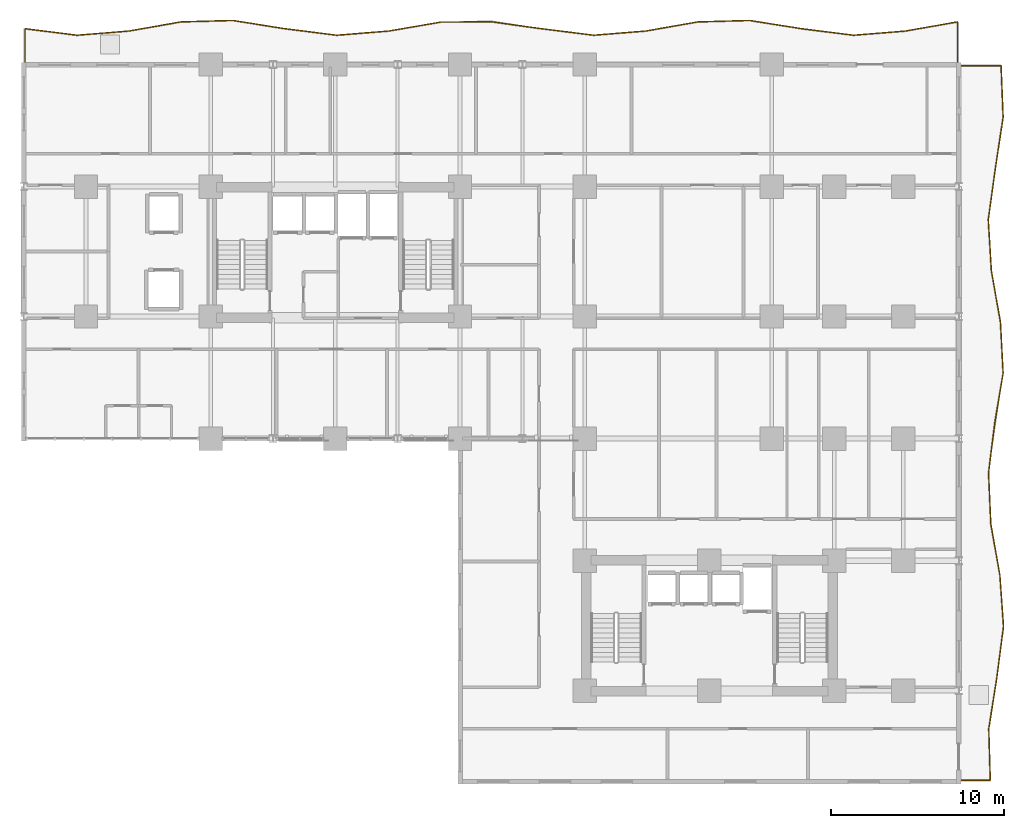
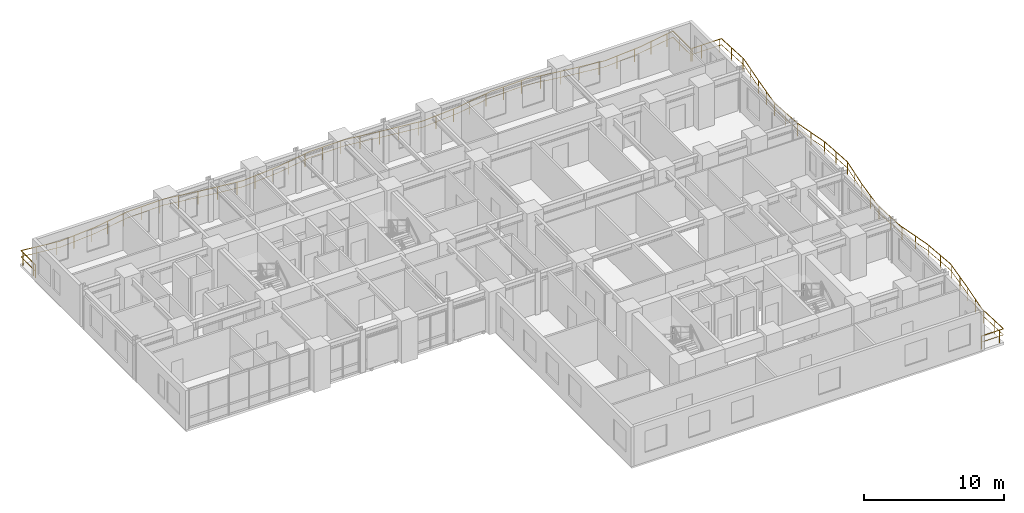
# One storey, part 16 of 16: 2 railings.
"""IFC4 building model written with IfcOpenShell, lengths in metres."""

import ifcopenshell
import ifcopenshell.guid

model = None  # the IFC model being written
_history = None  # IfcOwnerHistory: only IFC2X3 demands one
_inside = {}  # id of a spatial element -> (the spatial element, [elements in it])
_under = {}  # id of a project, library or spatial element -> (it, [spatial elements below it])
_declared = {}  # id of a project -> (the project, [libraries it declares])
_typed = {}  # id of a type object -> (the type object, [elements of that type])
_made_of = {}  # id of a material, layer set ... -> (it, [elements and type objects made of it])


def new_model(schema):
    """Start an empty IFC model of exactly this schema.

    Asked for "IFC4X3", IfcOpenShell would pick the latest addendum, in which some entities
    have other attributes; the version numbers below select the first issue.
    IFC2X3 requires an IfcOwnerHistory on every rooted entity: one is made here for all.
    """
    global model, _history
    if schema == "IFC4X3":
        model = ifcopenshell.file(schema_version=(4, 3, 0, 0))
    else:
        model = ifcopenshell.file(schema=schema)
    _inside.clear()
    _under.clear()
    _declared.clear()
    _typed.clear()
    _made_of.clear()
    _history = None
    if model.schema == "IFC2X3":
        org = make("IfcOrganization", Name="unknown")
        user = make(
            "IfcPersonAndOrganization",
            ThePerson=make("IfcPerson", FamilyName="unknown"),
            TheOrganization=org,
        )
        app = make(
            "IfcApplication",
            ApplicationDeveloper=org,
            Version="unknown",
            ApplicationFullName="unknown",
            ApplicationIdentifier="unknown",
        )
        _history = make(
            "IfcOwnerHistory",
            OwningUser=user,
            OwningApplication=app,
            ChangeAction="ADDED",
            CreationDate=0,
        )
    return model


def make(cls, **values):
    """One entity of the class cls with the attributes given. An attribute that is None is left unset."""
    return model.create_entity(
        cls, **{name: value for name, value in values.items() if value is not None}
    )


def rooted(cls, **values):
    """An entity with a GlobalId (a new one), such as an element, a storey or a relation."""
    return make(cls, GlobalId=ifcopenshell.guid.new(), OwnerHistory=_history, **values)


def si_unit(unit_type, name, prefix=None):
    """IfcSIUnit, for example si_unit("LENGTHUNIT", "METRE", prefix="MILLI")."""
    return make("IfcSIUnit", UnitType=unit_type, Prefix=prefix, Name=name)


def assignment(units):
    """IfcUnitAssignment: the units of a project."""
    return None if units is None else make("IfcUnitAssignment", Units=units)


def point(xyz):
    """IfcCartesianPoint."""
    return None if xyz is None else make("IfcCartesianPoint", Coordinates=xyz)


def direction(xyz):
    """IfcDirection."""
    return None if xyz is None else make("IfcDirection", DirectionRatios=xyz)


def frame(location, z_axis=None, x_axis=None):
    """IfcAxis2Placement3D, a coordinate frame: its origin and axes. An axis left out is left unset."""
    return make(
        "IfcAxis2Placement3D",
        Location=point(location),
        Axis=direction(z_axis),
        RefDirection=direction(x_axis),
    )


def frame_2d(location, x_axis=None):
    """IfcAxis2Placement2D, a coordinate frame in the plane: its origin and x axis."""
    return make(
        "IfcAxis2Placement2D", Location=point(location), RefDirection=direction(x_axis)
    )


def origin():
    """The frame at (0, 0, 0) with its axes left unset."""
    return frame((0.0, 0.0, 0.0))


def origin_2d():
    """The frame at (0, 0) in the plane with its x axis left unset."""
    return frame_2d((0.0, 0.0))


def place(relative_to, where):
    """IfcLocalPlacement: puts the frame where relative to a parent placement (None: the world)."""
    return make(
        "IfcLocalPlacement", PlacementRelTo=relative_to, RelativePlacement=where
    )


def context(
    kind, dimensions, precision=None, world=None, true_north=None, identifier=None
):
    """IfcGeometricRepresentationContext, for example the 3D "Model" context."""
    return make(
        "IfcGeometricRepresentationContext",
        ContextIdentifier=identifier,
        ContextType=kind,
        CoordinateSpaceDimension=dimensions,
        Precision=precision,
        WorldCoordinateSystem=world,
        TrueNorth=true_north,
    )


def subcontext(parent, identifier, kind, view, scale=None):
    """IfcGeometricRepresentationSubContext, for example "Body" below "Model"."""
    return make(
        "IfcGeometricRepresentationSubContext",
        ContextIdentifier=identifier,
        ContextType=kind,
        ParentContext=parent,
        TargetScale=scale,
        TargetView=view,
    )


def project(units=None, contexts=None):
    """IfcProject with its units and contexts."""
    return rooted(
        "IfcProject",
        Name="project",
        RepresentationContexts=contexts,
        UnitsInContext=assignment(units),
    )


def spatial(cls, under=None, at=None, **own):
    """A site, building, storey or space (cls), placed at a placement, below another one or the project."""
    s = rooted(cls, ObjectPlacement=at, **own)
    if under is not None:
        _under.setdefault(under.id(), (under, []))[1].append(s)
    return s


def profile(cls, at=None, kind="AREA", **sizes):
    """A parametric profile (cls). Its sizes go by their IFC names, for example OverallWidth=200.0."""
    return make(cls, ProfileType=kind, Position=at, **sizes)


def rectangle(**sizes):
    """IfcRectangleProfileDef."""
    return profile("IfcRectangleProfileDef", **sizes)


def extrude(swept, where, along, depth):
    """IfcExtrudedAreaSolid: the profile swept, set in the frame where, extruded along a direction by depth."""
    return make(
        "IfcExtrudedAreaSolid",
        SweptArea=swept,
        Position=where,
        ExtrudedDirection=direction(along),
        Depth=depth,
    )


def shape(context_of_items, identifier, shape_type, items):
    """IfcShapeRepresentation: the items that make up one representation, for example the "Body"."""
    return make(
        "IfcShapeRepresentation",
        ContextOfItems=context_of_items,
        RepresentationIdentifier=identifier,
        RepresentationType=shape_type,
        Items=items,
    )


def material(Name=None, Category=None):
    """IfcMaterial."""
    return make("IfcMaterial", Name=Name, Category=Category)


def made_of(thing, what):
    """Note that an element or type object is made of a material, layer set ...; save() writes the relation."""
    if what is not None:
        _made_of.setdefault(what.id(), (what, []))[1].append(thing)
    return thing


def type_object(cls, material=None, **own):
    """A type object (cls), such as IfcWallType, which elements share."""
    return made_of(rooted(cls, **own), material)


def element(
    cls,
    number,
    at=None,
    inside=None,
    cuts=None,
    type_object=None,
    material=None,
    context=None,
    identifier="Body",
    shape_type=None,
    held_by="IfcProductDefinitionShape",
    body=None,
    shapes=None,
    **own,
):
    """One element of the class cls, such as IfcWall. Its Tag is "e" and its number.

    at: its placement. inside: the storey or other place that contains it. cuts: it is an
    opening in that element (IfcRelVoidsElement). A single representation is given by context,
    identifier, shape_type and body (its items); several are given by shapes. held_by: the class
    of the entity that holds the representations. save() writes the other relations.
    """
    e = rooted(cls, Tag="e%d" % number, ObjectPlacement=at, **own)
    if body is not None:
        shapes = [shape(context, identifier, shape_type, body)]
    if shapes is not None:
        e.Representation = make(held_by, Representations=shapes)
    if inside is not None:
        _inside.setdefault(inside.id(), (inside, []))[1].append(e)
    if cuts is not None:
        rooted(
            "IfcRelVoidsElement", RelatingBuildingElement=cuts, RelatedOpeningElement=e
        )
    if type_object is not None:
        _typed.setdefault(type_object.id(), (type_object, []))[1].append(e)
    return made_of(e, material)


def aggregate(whole, parts):
    """IfcRelAggregates: a whole, such as a stair, and the parts it consists of."""
    return rooted("IfcRelAggregates", RelatingObject=whole, RelatedObjects=parts)


def save(model, path):
    """Write the relations noted so far, then the file.

    IfcRelAggregates (storeys below a building ...), IfcRelContainedInSpatialStructure (elements
    in a storey), IfcRelDefinesByType, IfcRelAssociatesMaterial and IfcRelDeclares: one each for
    every whole, place, type object, material and project.
    """
    for whole, parts in _under.values():
        aggregate(whole, parts)
    for where, things in _inside.values():
        rooted(
            "IfcRelContainedInSpatialStructure",
            RelatedElements=things,
            RelatingStructure=where,
        )
    for kind, things in _typed.values():
        rooted("IfcRelDefinesByType", RelatedObjects=things, RelatingType=kind)
    for what, things in _made_of.values():
        rooted("IfcRelAssociatesMaterial", RelatedObjects=things, RelatingMaterial=what)
    for by, libraries in _declared.values():
        rooted("IfcRelDeclares", RelatingContext=by, RelatedDefinitions=libraries)
    model.write(path)


model = new_model("IFC4")

# Units and contexts
model_context = context("Model", 3, precision=1e-05, world=origin(), true_north=direction((0.0, 1.0)))
body_context = subcontext(model_context, "Body", "Model", "MODEL_VIEW")
ifc_project = project(units=[si_unit("LENGTHUNIT", "METRE"), si_unit("AREAUNIT", "SQUARE_METRE"), si_unit("VOLUMEUNIT", "CUBIC_METRE"), si_unit("PLANEANGLEUNIT", "RADIAN"), si_unit("MASSUNIT", "GRAM", prefix="KILO")], contexts=[model_context])

# Site, building, storey
site_placement = place(None, origin())
site = spatial("IfcSite", under=ifc_project, at=site_placement, CompositionType="ELEMENT")
building_placement = place(site_placement, origin())
building = spatial("IfcBuilding", under=site, at=building_placement, Name="Kaliganga Portal Commons", CompositionType="ELEMENT")
storey_placement = place(building_placement, frame((0.0, 0.0, 29.0)))
storey = spatial("IfcBuildingStorey", under=building, at=storey_placement, Name="L06", CompositionType="ELEMENT", Elevation=29.0)

# Railings
ifc_material = material(Name="Laminated Safety Glass and Stainless Steel 316", Category="steel")
railing_type = type_object("IfcRailingType", Name="RLG-BAL-1150", PredefinedType="BALUSTRADE", material=ifc_material)
railing_1_placement = place(storey_placement, frame((57.520263671875, 43.205810546875, 0.0)))
element("IfcRailing", 1, at=railing_1_placement, inside=storey, type_object=railing_type, Name="Balcony Guardrail L06 balc_north", PredefinedType="BALUSTRADE", context=body_context, shape_type="SweptSolid", body=[
    extrude(rectangle(XDim=0.048095703125, YDim=0.048095703125, at=origin_2d()), frame((0.0, 0.0, 1.1259765625), z_axis=(-9.9295005e-05, 0.99999999507, 0.0), x_axis=(-0.99999999507, -9.9295005e-05, 0.0)), (0.0, 0.0, 1.0), 2.458740234375),
    extrude(rectangle(XDim=0.028076171875, YDim=0.028076171875, at=origin_2d()), frame((0.0, 0.0, 0.597900390625), z_axis=(-9.9295005e-05, 0.99999999507, 0.0), x_axis=(-0.99999999507, -9.9295005e-05, 0.0)), (0.0, 0.0, 1.0), 2.458740234375),
    extrude(rectangle(XDim=0.048095703125, YDim=0.048095703125, at=origin_2d()), frame((-0.000244140625, 2.458740234375, 1.1259765625), z_axis=(-0.984817426759, -0.173593306182, 0.0), x_axis=(0.173593306182, -0.984817426759, 0.0)), (0.0, 0.0, 1.0), 3.046142578125),
    extrude(rectangle(XDim=0.028076171875, YDim=0.028076171875, at=origin_2d()), frame((-0.000244140625, 2.458740234375, 0.597900390625), z_axis=(-0.984817426759, -0.173593306182, 0.0), x_axis=(0.173593306182, -0.984817426759, 0.0)), (0.0, 0.0, 1.0), 3.046142578125),
    extrude(rectangle(XDim=0.048095703125, YDim=0.048095703125, at=origin_2d()), frame((-3.000244140625, 1.929931640625, 1.1259765625), z_axis=(-0.996744217551, -0.080628560567, 0.0), x_axis=(0.080628560567, -0.996744217551, 0.0)), (0.0, 0.0, 1.0), 3.009765625),
    extrude(rectangle(XDim=0.028076171875, YDim=0.028076171875, at=origin_2d()), frame((-3.000244140625, 1.929931640625, 0.597900390625), z_axis=(-0.996744217551, -0.080628560567, 0.0), x_axis=(0.080628560567, -0.996744217551, 0.0)), (0.0, 0.0, 1.0), 3.009765625),
    extrude(rectangle(XDim=0.048095703125, YDim=0.048095703125, at=origin_2d()), frame((-6.000244140625, 1.687255859375, 1.1259765625), z_axis=(-0.992158168336, 0.124988675503, 0.0), x_axis=(-0.124988675503, -0.992158168336, 0.0)), (0.0, 0.0, 1.0), 3.023681640625),
    extrude(rectangle(XDim=0.028076171875, YDim=0.028076171875, at=origin_2d()), frame((-6.000244140625, 1.687255859375, 0.597900390625), z_axis=(-0.992158168336, 0.124988675503, 0.0), x_axis=(-0.124988675503, -0.992158168336, 0.0)), (0.0, 0.0, 1.0), 3.023681640625),
    extrude(rectangle(XDim=0.048095703125, YDim=0.048095703125, at=origin_2d()), frame((-9.000244140625, 2.065185546875, 1.1259765625), z_axis=(-0.987653892093, 0.156651809545, 0.0), x_axis=(-0.156651809545, -0.987653892093, 0.0)), (0.0, 0.0, 1.0), 3.03759765625),
    extrude(rectangle(XDim=0.028076171875, YDim=0.028076171875, at=origin_2d()), frame((-9.000244140625, 2.065185546875, 0.597900390625), z_axis=(-0.987653892093, 0.156651809545, 0.0), x_axis=(-0.156651809545, -0.987653892093, 0.0)), (0.0, 0.0, 1.0), 3.03759765625),
    extrude(rectangle(XDim=0.048095703125, YDim=0.048095703125, at=origin_2d()), frame((-12.000244140625, 2.541015625, 1.1259765625), z_axis=(-0.999606097148, -0.028065112591, 0.0), x_axis=(0.028065112591, -0.999606097148, 0.0)), (0.0, 0.0, 1.0), 3.001220703125),
    extrude(rectangle(XDim=0.028076171875, YDim=0.028076171875, at=origin_2d()), frame((-12.000244140625, 2.541015625, 0.597900390625), z_axis=(-0.999606097148, -0.028065112591, 0.0), x_axis=(0.028065112591, -0.999606097148, 0.0)), (0.0, 0.0, 1.0), 3.001220703125),
    extrude(rectangle(XDim=0.048095703125, YDim=0.048095703125, at=origin_2d()), frame((-15.000244140625, 2.456787109375, 1.1259765625), z_axis=(-0.984926853339, -0.172971366334, 0.0), x_axis=(0.172971366334, -0.984926853339, 0.0)), (0.0, 0.0, 1.0), 3.0458984375),
    extrude(rectangle(XDim=0.028076171875, YDim=0.028076171875, at=origin_2d()), frame((-15.000244140625, 2.456787109375, 0.597900390625), z_axis=(-0.984926853339, -0.172971366334, 0.0), x_axis=(0.172971366334, -0.984926853339, 0.0)), (0.0, 0.0, 1.0), 3.0458984375),
    extrude(rectangle(XDim=0.048095703125, YDim=0.048095703125, at=origin_2d()), frame((-18.000244140625, 1.929931640625, 1.1259765625), z_axis=(-0.996796163047, -0.079983806703, 0.0), x_axis=(0.079983806703, -0.996796163047, 0.0)), (0.0, 0.0, 1.0), 3.009521484375),
    extrude(rectangle(XDim=0.028076171875, YDim=0.028076171875, at=origin_2d()), frame((-18.000244140625, 1.929931640625, 0.597900390625), z_axis=(-0.996796163047, -0.079983806703, 0.0), x_axis=(0.079983806703, -0.996796163047, 0.0)), (0.0, 0.0, 1.0), 3.009521484375),
    extrude(rectangle(XDim=0.048095703125, YDim=0.048095703125, at=origin_2d()), frame((-21.000244140625, 1.689208984375, 1.1259765625), z_axis=(-0.99236707481, 0.123319052998, 0.0), x_axis=(-0.123319052998, -0.99236707481, 0.0)), (0.0, 0.0, 1.0), 3.023193359375),
    extrude(rectangle(XDim=0.028076171875, YDim=0.028076171875, at=origin_2d()), frame((-21.000244140625, 1.689208984375, 0.597900390625), z_axis=(-0.99236707481, 0.123319052998, 0.0), x_axis=(-0.123319052998, -0.99236707481, 0.0)), (0.0, 0.0, 1.0), 3.023193359375),
    extrude(rectangle(XDim=0.048095703125, YDim=0.048095703125, at=origin_2d()), frame((-24.000244140625, 2.06201171875, 1.1259765625), z_axis=(-0.990639676987, 0.136502858501, 0.0), x_axis=(-0.136502858501, -0.990639676987, 0.0)), (0.0, 0.0, 1.0), 2.947509765625),
    extrude(rectangle(XDim=0.028076171875, YDim=0.028076171875, at=origin_2d()), frame((-24.000244140625, 2.06201171875, 0.597900390625), z_axis=(-0.990639676987, 0.136502858501, 0.0), x_axis=(-0.136502858501, -0.990639676987, 0.0)), (0.0, 0.0, 1.0), 2.947509765625),
    extrude(rectangle(XDim=0.048095703125, YDim=0.048095703125, at=origin_2d()), frame((-26.920166015625, 2.46435546875, 1.1259765625), z_axis=(-0.999980358179, -0.006267635539, 0.0), x_axis=(0.006267635539, -0.999980358179, 0.0)), (0.0, 0.0, 1.0), 2.92138671875),
    extrude(rectangle(XDim=0.028076171875, YDim=0.028076171875, at=origin_2d()), frame((-26.920166015625, 2.46435546875, 0.597900390625), z_axis=(-0.999980358179, -0.006267635539, 0.0), x_axis=(0.006267635539, -0.999980358179, 0.0)), (0.0, 0.0, 1.0), 2.92138671875),
    extrude(rectangle(XDim=0.048095703125, YDim=0.048095703125, at=origin_2d()), frame((-29.841552734375, 2.446044921875, 1.1259765625), z_axis=(-0.985510565724, -0.169614046726, 0.0), x_axis=(0.169614046726, -0.985510565724, 0.0)), (0.0, 0.0, 1.0), 3.04296875),
    extrude(rectangle(XDim=0.028076171875, YDim=0.028076171875, at=origin_2d()), frame((-29.841552734375, 2.446044921875, 0.597900390625), z_axis=(-0.985510565724, -0.169614046726, 0.0), x_axis=(0.169614046726, -0.985510565724, 0.0)), (0.0, 0.0, 1.0), 3.04296875),
    extrude(rectangle(XDim=0.048095703125, YDim=0.048095703125, at=origin_2d()), frame((-32.84033203125, 1.929931640625, 1.1259765625), z_axis=(-0.996770241754, -0.080306196235, 0.0), x_axis=(0.080306196235, -0.996770241754, 0.0)), (0.0, 0.0, 1.0), 3.009765625),
    extrude(rectangle(XDim=0.028076171875, YDim=0.028076171875, at=origin_2d()), frame((-32.84033203125, 1.929931640625, 0.597900390625), z_axis=(-0.996770241754, -0.080306196235, 0.0), x_axis=(0.080306196235, -0.996770241754, 0.0)), (0.0, 0.0, 1.0), 3.009765625),
    extrude(rectangle(XDim=0.048095703125, YDim=0.048095703125, at=origin_2d()), frame((-35.84033203125, 1.688232421875, 1.1259765625), z_axis=(-0.992208154771, 0.124591242091, 0.0), x_axis=(-0.124591242091, -0.992208154771, 0.0)), (0.0, 0.0, 1.0), 3.0234375),
    extrude(rectangle(XDim=0.028076171875, YDim=0.028076171875, at=origin_2d()), frame((-35.84033203125, 1.688232421875, 0.597900390625), z_axis=(-0.992208154771, 0.124591242091, 0.0), x_axis=(-0.124591242091, -0.992208154771, 0.0)), (0.0, 0.0, 1.0), 3.0234375),
    extrude(rectangle(XDim=0.048095703125, YDim=0.048095703125, at=origin_2d()), frame((-38.84033203125, 2.06494140625, 1.1259765625), z_axis=(-0.987641453623, 0.156730211146, 0.0), x_axis=(-0.156730211146, -0.987641453623, 0.0)), (0.0, 0.0, 1.0), 3.03759765625),
    extrude(rectangle(XDim=0.028076171875, YDim=0.028076171875, at=origin_2d()), frame((-38.84033203125, 2.06494140625, 0.597900390625), z_axis=(-0.987641453623, 0.156730211146, 0.0), x_axis=(-0.156730211146, -0.987641453623, 0.0)), (0.0, 0.0, 1.0), 3.03759765625),
    extrude(rectangle(XDim=0.048095703125, YDim=0.048095703125, at=origin_2d()), frame((-41.84033203125, 2.541015625, 1.1259765625), z_axis=(-0.999617425383, -0.027658685273, 0.0), x_axis=(0.027658685273, -0.999617425383, 0.0)), (0.0, 0.0, 1.0), 3.001220703125),
    extrude(rectangle(XDim=0.028076171875, YDim=0.028076171875, at=origin_2d()), frame((-41.84033203125, 2.541015625, 0.597900390625), z_axis=(-0.999617425383, -0.027658685273, 0.0), x_axis=(0.027658685273, -0.999617425383, 0.0)), (0.0, 0.0, 1.0), 3.001220703125),
    extrude(rectangle(XDim=0.048095703125, YDim=0.048095703125, at=origin_2d()), frame((-44.84033203125, 2.4580078125, 1.1259765625), z_axis=(-0.984858504901, -0.173360103036, 0.0), x_axis=(0.173360103036, -0.984858504901, 0.0)), (0.0, 0.0, 1.0), 3.046142578125),
    extrude(rectangle(XDim=0.028076171875, YDim=0.028076171875, at=origin_2d()), frame((-44.84033203125, 2.4580078125, 0.597900390625), z_axis=(-0.984858504901, -0.173360103036, 0.0), x_axis=(0.173360103036, -0.984858504901, 0.0)), (0.0, 0.0, 1.0), 3.046142578125),
    extrude(rectangle(XDim=0.048095703125, YDim=0.048095703125, at=origin_2d()), frame((-47.84033203125, 1.929931640625, 1.1259765625), z_axis=(-0.996737695423, -0.080709147701, 0.0), x_axis=(0.080709147701, -0.996737695423, 0.0)), (0.0, 0.0, 1.0), 3.009765625),
    extrude(rectangle(XDim=0.028076171875, YDim=0.028076171875, at=origin_2d()), frame((-47.84033203125, 1.929931640625, 0.597900390625), z_axis=(-0.996737695423, -0.080709147701, 0.0), x_axis=(0.080709147701, -0.996737695423, 0.0)), (0.0, 0.0, 1.0), 3.009765625),
    extrude(rectangle(XDim=0.048095703125, YDim=0.048095703125, at=origin_2d()), frame((-50.84033203125, 1.68701171875, 1.1259765625), z_axis=(-0.992138130603, 0.125147632034, 0.0), x_axis=(-0.125147632034, -0.992138130603, 0.0)), (0.0, 0.0, 1.0), 3.023681640625),
    extrude(rectangle(XDim=0.028076171875, YDim=0.028076171875, at=origin_2d()), frame((-50.84033203125, 1.68701171875, 0.597900390625), z_axis=(-0.992138130603, 0.125147632034, 0.0), x_axis=(-0.125147632034, -0.992138130603, 0.0)), (0.0, 0.0, 1.0), 3.023681640625),
    extrude(rectangle(XDim=0.048095703125, YDim=0.048095703125, at=origin_2d()), frame((-53.84033203125, 2.0654296875, 1.1259765625), z_axis=(-0.000118203309, -0.999999993014, 0.0), x_axis=(0.999999993014, -0.000118203309, 0.0)), (0.0, 0.0, 1.0), 2.0654296875),
    extrude(rectangle(XDim=0.028076171875, YDim=0.028076171875, at=origin_2d()), frame((-53.84033203125, 2.0654296875, 0.597900390625), z_axis=(-0.000118203309, -0.999999993014, 0.0), x_axis=(0.999999993014, -0.000118203309, 0.0)), (0.0, 0.0, 1.0), 2.0654296875),
    extrude(rectangle(XDim=0.0419921875, YDim=0.0419921875, at=origin_2d()), origin(), (0.0, 0.0, 1.0), 1.101806640625),
    extrude(rectangle(XDim=0.0419921875, YDim=0.0419921875, at=origin_2d()), frame((-0.000244140625, 1.5, 0.0)), (0.0, 0.0, 1.0), 1.101806640625),
    extrude(rectangle(XDim=0.0419921875, YDim=0.0419921875, at=origin_2d()), frame((-0.533203125, 2.36474609375, 0.0)), (0.0, 0.0, 1.0), 1.101806640625),
    extrude(rectangle(XDim=0.0419921875, YDim=0.0419921875, at=origin_2d()), frame((-2.010498046875, 2.1044921875, 0.0)), (0.0, 0.0, 1.0), 1.101806640625),
    extrude(rectangle(XDim=0.0419921875, YDim=0.0419921875, at=origin_2d()), frame((-3.49365234375, 1.89013671875, 0.0)), (0.0, 0.0, 1.0), 1.101806640625),
    extrude(rectangle(XDim=0.0419921875, YDim=0.0419921875, at=origin_2d()), frame((-4.98876953125, 1.76904296875, 0.0)), (0.0, 0.0, 1.0), 1.101806640625),
    extrude(rectangle(XDim=0.0419921875, YDim=0.0419921875, at=origin_2d()), frame((-6.481689453125, 1.747802734375, 0.0)), (0.0, 0.0, 1.0), 1.101806640625),
    extrude(rectangle(XDim=0.0419921875, YDim=0.0419921875, at=origin_2d()), frame((-7.969970703125, 1.935302734375, 0.0)), (0.0, 0.0, 1.0), 1.101806640625),
    extrude(rectangle(XDim=0.0419921875, YDim=0.0419921875, at=origin_2d()), frame((-9.4560546875, 2.137451171875, 0.0)), (0.0, 0.0, 1.0), 1.101806640625),
    extrude(rectangle(XDim=0.0419921875, YDim=0.0419921875, at=origin_2d()), frame((-10.9375, 2.37255859375, 0.0)), (0.0, 0.0, 1.0), 1.101806640625),
    extrude(rectangle(XDim=0.0419921875, YDim=0.0419921875, at=origin_2d()), frame((-12.424072265625, 2.529052734375, 0.0)), (0.0, 0.0, 1.0), 1.101806640625),
    extrude(rectangle(XDim=0.0419921875, YDim=0.0419921875, at=origin_2d()), frame((-13.923583984375, 2.487060546875, 0.0)), (0.0, 0.0, 1.0), 1.101806640625),
    extrude(rectangle(XDim=0.0419921875, YDim=0.0419921875, at=origin_2d()), frame((-15.416748046875, 2.383544921875, 0.0)), (0.0, 0.0, 1.0), 1.101806640625),
    extrude(rectangle(XDim=0.0419921875, YDim=0.0419921875, at=origin_2d()), frame((-16.89404296875, 2.124267578125, 0.0)), (0.0, 0.0, 1.0), 1.101806640625),
    extrude(rectangle(XDim=0.0419921875, YDim=0.0419921875, at=origin_2d()), frame((-18.3759765625, 1.89990234375, 0.0)), (0.0, 0.0, 1.0), 1.101806640625),
    extrude(rectangle(XDim=0.0419921875, YDim=0.0419921875, at=origin_2d()), frame((-19.87109375, 1.77978515625, 0.0)), (0.0, 0.0, 1.0), 1.101806640625),
    extrude(rectangle(XDim=0.0419921875, YDim=0.0419921875, at=origin_2d()), frame((-21.36474609375, 1.734619140625, 0.0)), (0.0, 0.0, 1.0), 1.101806640625),
    extrude(rectangle(XDim=0.0419921875, YDim=0.0419921875, at=origin_2d()), frame((-22.853271484375, 1.91943359375, 0.0)), (0.0, 0.0, 1.0), 1.101806640625),
    extrude(rectangle(XDim=0.0419921875, YDim=0.0419921875, at=origin_2d()), frame((-24.34130859375, 2.10888671875, 0.0)), (0.0, 0.0, 1.0), 1.101806640625),
    extrude(rectangle(XDim=0.0419921875, YDim=0.0419921875, at=origin_2d()), frame((-25.8271484375, 2.313720703125, 0.0)), (0.0, 0.0, 1.0), 1.101806640625),
    extrude(rectangle(XDim=0.0419921875, YDim=0.0419921875, at=origin_2d()), frame((-27.31689453125, 2.4619140625, 0.0)), (0.0, 0.0, 1.0), 1.101806640625),
    extrude(rectangle(XDim=0.0419921875, YDim=0.0419921875, at=origin_2d()), frame((-28.81689453125, 2.452392578125, 0.0)), (0.0, 0.0, 1.0), 1.101806640625),
    extrude(rectangle(XDim=0.0419921875, YDim=0.0419921875, at=origin_2d()), frame((-30.309814453125, 2.365478515625, 0.0)), (0.0, 0.0, 1.0), 1.101806640625),
    extrude(rectangle(XDim=0.0419921875, YDim=0.0419921875, at=origin_2d()), frame((-31.7880859375, 2.111083984375, 0.0)), (0.0, 0.0, 1.0), 1.101806640625),
    extrude(rectangle(XDim=0.0419921875, YDim=0.0419921875, at=origin_2d()), frame((-33.271240234375, 1.895263671875, 0.0)), (0.0, 0.0, 1.0), 1.101806640625),
    extrude(rectangle(XDim=0.0419921875, YDim=0.0419921875, at=origin_2d()), frame((-34.766357421875, 1.774658203125, 0.0)), (0.0, 0.0, 1.0), 1.101806640625),
    extrude(rectangle(XDim=0.0419921875, YDim=0.0419921875, at=origin_2d()), frame((-36.259765625, 1.740966796875, 0.0)), (0.0, 0.0, 1.0), 1.101806640625),
    extrude(rectangle(XDim=0.0419921875, YDim=0.0419921875, at=origin_2d()), frame((-37.748046875, 1.927734375, 0.0)), (0.0, 0.0, 1.0), 1.101806640625),
    extrude(rectangle(XDim=0.0419921875, YDim=0.0419921875, at=origin_2d()), frame((-39.234375, 2.12744140625, 0.0)), (0.0, 0.0, 1.0), 1.101806640625),
    extrude(rectangle(XDim=0.0419921875, YDim=0.0419921875, at=origin_2d()), frame((-40.716064453125, 2.362548828125, 0.0)), (0.0, 0.0, 1.0), 1.101806640625),
    extrude(rectangle(XDim=0.0419921875, YDim=0.0419921875, at=origin_2d()), frame((-42.20166015625, 2.531005859375, 0.0)), (0.0, 0.0, 1.0), 1.101806640625),
    extrude(rectangle(XDim=0.0419921875, YDim=0.0419921875, at=origin_2d()), frame((-43.701171875, 2.489501953125, 0.0)), (0.0, 0.0, 1.0), 1.101806640625),
    extrude(rectangle(XDim=0.0419921875, YDim=0.0419921875, at=origin_2d()), frame((-45.1953125, 2.3955078125, 0.0)), (0.0, 0.0, 1.0), 1.101806640625),
    extrude(rectangle(XDim=0.0419921875, YDim=0.0419921875, at=origin_2d()), frame((-46.672607421875, 2.135498046875, 0.0)), (0.0, 0.0, 1.0), 1.101806640625),
    extrude(rectangle(XDim=0.0419921875, YDim=0.0419921875, at=origin_2d()), frame((-48.153564453125, 1.904541015625, 0.0)), (0.0, 0.0, 1.0), 1.101806640625),
    extrude(rectangle(XDim=0.0419921875, YDim=0.0419921875, at=origin_2d()), frame((-49.648681640625, 1.783447265625, 0.0)), (0.0, 0.0, 1.0), 1.101806640625),
    extrude(rectangle(XDim=0.0419921875, YDim=0.0419921875, at=origin_2d()), frame((-51.142333984375, 1.72509765625, 0.0)), (0.0, 0.0, 1.0), 1.101806640625),
    extrude(rectangle(XDim=0.0419921875, YDim=0.0419921875, at=origin_2d()), frame((-52.630615234375, 1.912841796875, 0.0)), (0.0, 0.0, 1.0), 1.101806640625),
    extrude(rectangle(XDim=0.0419921875, YDim=0.0419921875, at=origin_2d()), frame((-53.84033203125, 1.78466796875, 0.0)), (0.0, 0.0, 1.0), 1.101806640625),
    extrude(rectangle(XDim=0.0419921875, YDim=0.0419921875, at=origin_2d()), frame((-53.840576171875, 0.28466796875, 0.0)), (0.0, 0.0, 1.0), 1.101806640625),
    extrude(rectangle(XDim=0.0419921875, YDim=0.0419921875, at=origin_2d()), frame((-53.840576171875, 0.0, 0.0)), (0.0, 0.0, 1.0), 1.101806640625),
])
railing_2_placement = place(storey_placement, frame((57.607421875, 1.879638671875, 0.0)))
element("IfcRailing", 2, at=railing_2_placement, inside=storey, type_object=railing_type, Name="Balcony Guardrail L06 balc_east", PredefinedType="BALUSTRADE", context=body_context, shape_type="SweptSolid", body=[
    extrude(rectangle(XDim=0.048095703125, YDim=0.048095703125, at=origin_2d()), frame((0.0, 0.0, 1.1259765625), z_axis=(0.999999990936, 0.000134643866, 0.0), x_axis=(-0.000134643866, 0.999999990936, 0.0)), (0.0, 0.0, 1.0), 1.813232421875),
    extrude(rectangle(XDim=0.028076171875, YDim=0.028076171875, at=origin_2d()), frame((0.0, 0.0, 0.597900390625), z_axis=(0.999999990936, 0.000134643866, 0.0), x_axis=(-0.000134643866, 0.999999990936, 0.0)), (0.0, 0.0, 1.0), 1.813232421875),
    extrude(rectangle(XDim=0.048095703125, YDim=0.048095703125, at=origin_2d()), frame((1.813232421875, 0.000244140625, 1.1259765625), z_axis=(-0.029542123831, 0.999563536209, 0.0), x_axis=(-0.999563536209, -0.029542123831, 0.0)), (0.0, 0.0, 1.0), 2.95849609375),
    extrude(rectangle(XDim=0.028076171875, YDim=0.028076171875, at=origin_2d()), frame((1.813232421875, 0.000244140625, 0.597900390625), z_axis=(-0.029542123831, 0.999563536209, 0.0), x_axis=(-0.999563536209, -0.029542123831, 0.0)), (0.0, 0.0, 1.0), 2.95849609375),
    extrude(rectangle(XDim=0.048095703125, YDim=0.048095703125, at=origin_2d()), frame((1.725830078125, 2.95751953125, 1.1259765625), z_axis=(0.154894404657, 0.987931031705, 0.0), x_axis=(-0.987931031705, 0.154894404657, 0.0)), (0.0, 0.0, 1.0), 2.9931640625),
    extrude(rectangle(XDim=0.028076171875, YDim=0.028076171875, at=origin_2d()), frame((1.725830078125, 2.95751953125, 0.597900390625), z_axis=(0.154894404657, 0.987931031705, 0.0), x_axis=(-0.987931031705, 0.154894404657, 0.0)), (0.0, 0.0, 1.0), 2.9931640625),
    extrude(rectangle(XDim=0.048095703125, YDim=0.048095703125, at=origin_2d()), frame((2.189453125, 5.91455078125, 1.1259765625), z_axis=(0.130238520668, 0.991482691596, 0.0), x_axis=(-0.991482691596, 0.130238520668, 0.0)), (0.0, 0.0, 1.0), 2.982421875),
    extrude(rectangle(XDim=0.028076171875, YDim=0.028076171875, at=origin_2d()), frame((2.189453125, 5.91455078125, 0.597900390625), z_axis=(0.130238520668, 0.991482691596, 0.0), x_axis=(-0.991482691596, 0.130238520668, 0.0)), (0.0, 0.0, 1.0), 2.982421875),
    extrude(rectangle(XDim=0.048095703125, YDim=0.048095703125, at=origin_2d()), frame((2.577880859375, 8.87158203125, 1.1259765625), z_axis=(-0.070983702125, 0.997477475451, 0.0), x_axis=(-0.997477475451, -0.070983702125, 0.0)), (0.0, 0.0, 1.0), 2.96484375),
    extrude(rectangle(XDim=0.028076171875, YDim=0.028076171875, at=origin_2d()), frame((2.577880859375, 8.87158203125, 0.597900390625), z_axis=(-0.070983702125, 0.997477475451, 0.0), x_axis=(-0.997477475451, -0.070983702125, 0.0)), (0.0, 0.0, 1.0), 2.96484375),
    extrude(rectangle(XDim=0.048095703125, YDim=0.048095703125, at=origin_2d()), frame((2.367431640625, 11.828857421875, 1.1259765625), z_axis=(-0.174369617896, 0.984680271131, 0.0), x_axis=(-0.984680271131, -0.174369617896, 0.0)), (0.0, 0.0, 1.0), 3.003173828125),
    extrude(rectangle(XDim=0.028076171875, YDim=0.028076171875, at=origin_2d()), frame((2.367431640625, 11.828857421875, 0.597900390625), z_axis=(-0.174369617896, 0.984680271131, 0.0), x_axis=(-0.984680271131, -0.174369617896, 0.0)), (0.0, 0.0, 1.0), 3.003173828125),
    extrude(rectangle(XDim=0.048095703125, YDim=0.048095703125, at=origin_2d()), frame((1.84375, 14.7861328125, 1.1259765625), z_axis=(-0.043963397038, 0.999033142454, 0.0), x_axis=(-0.999033142454, -0.043963397038, 0.0)), (0.0, 0.0, 1.0), 2.9599609375),
    extrude(rectangle(XDim=0.028076171875, YDim=0.028076171875, at=origin_2d()), frame((1.84375, 14.7861328125, 0.597900390625), z_axis=(-0.043963397038, 0.999033142454, 0.0), x_axis=(-0.999033142454, -0.043963397038, 0.0)), (0.0, 0.0, 1.0), 2.9599609375),
    extrude(rectangle(XDim=0.048095703125, YDim=0.048095703125, at=origin_2d()), frame((1.713623046875, 17.7431640625, 1.1259765625), z_axis=(0.122946409375, 0.992413311288, 0.0), x_axis=(-0.992413311288, 0.122946409375, 0.0)), (0.0, 0.0, 1.0), 2.899169921875),
    extrude(rectangle(XDim=0.028076171875, YDim=0.028076171875, at=origin_2d()), frame((1.713623046875, 17.7431640625, 0.597900390625), z_axis=(0.122946409375, 0.992413311288, 0.0), x_axis=(-0.992413311288, 0.122946409375, 0.0)), (0.0, 0.0, 1.0), 2.899169921875),
    extrude(rectangle(XDim=0.048095703125, YDim=0.048095703125, at=origin_2d()), frame((2.070068359375, 20.620361328125, 1.1259765625), z_axis=(0.165741327592, 0.9861692615, 0.0), x_axis=(-0.9861692615, 0.165741327592, 0.0)), (0.0, 0.0, 1.0), 2.91943359375),
    extrude(rectangle(XDim=0.028076171875, YDim=0.028076171875, at=origin_2d()), frame((2.070068359375, 20.620361328125, 0.597900390625), z_axis=(0.165741327592, 0.9861692615, 0.0), x_axis=(-0.9861692615, 0.165741327592, 0.0)), (0.0, 0.0, 1.0), 2.91943359375),
    extrude(rectangle(XDim=0.048095703125, YDim=0.048095703125, at=origin_2d()), frame((2.553955078125, 23.49951171875, 1.1259765625), z_axis=(-0.05238131871, 0.998627156375, 0.0), x_axis=(-0.998627156375, -0.05238131871, 0.0)), (0.0, 0.0, 1.0), 2.959716796875),
    extrude(rectangle(XDim=0.028076171875, YDim=0.028076171875, at=origin_2d()), frame((2.553955078125, 23.49951171875, 0.597900390625), z_axis=(-0.05238131871, 0.998627156375, 0.0), x_axis=(-0.998627156375, -0.05238131871, 0.0)), (0.0, 0.0, 1.0), 2.959716796875),
    extrude(rectangle(XDim=0.048095703125, YDim=0.048095703125, at=origin_2d()), frame((2.39892578125, 26.455078125, 1.1259765625), z_axis=(-0.174239867943, 0.984703238757, 0.0), x_axis=(-0.984703238757, -0.174239867943, 0.0)), (0.0, 0.0, 1.0), 3.002685546875),
    extrude(rectangle(XDim=0.028076171875, YDim=0.028076171875, at=origin_2d()), frame((2.39892578125, 26.455078125, 0.597900390625), z_axis=(-0.174239867943, 0.984703238757, 0.0), x_axis=(-0.984703238757, -0.174239867943, 0.0)), (0.0, 0.0, 1.0), 3.002685546875),
    extrude(rectangle(XDim=0.048095703125, YDim=0.048095703125, at=origin_2d()), frame((1.875732421875, 29.411865234375, 1.1259765625), z_axis=(-0.06024374849, 0.998183695904, 0.0), x_axis=(-0.998183695904, -0.06024374849, 0.0)), (0.0, 0.0, 1.0), 2.96240234375),
    extrude(rectangle(XDim=0.028076171875, YDim=0.028076171875, at=origin_2d()), frame((1.875732421875, 29.411865234375, 0.597900390625), z_axis=(-0.06024374849, 0.998183695904, 0.0), x_axis=(-0.998183695904, -0.06024374849, 0.0)), (0.0, 0.0, 1.0), 2.96240234375),
    extrude(rectangle(XDim=0.048095703125, YDim=0.048095703125, at=origin_2d()), frame((1.697265625, 32.368896484375, 1.1259765625), z_axis=(0.137539401504, 0.990496296325, 0.0), x_axis=(-0.990496296325, 0.137539401504, 0.0)), (0.0, 0.0, 1.0), 2.985595703125),
    extrude(rectangle(XDim=0.028076171875, YDim=0.028076171875, at=origin_2d()), frame((1.697265625, 32.368896484375, 0.597900390625), z_axis=(0.137539401504, 0.990496296325, 0.0), x_axis=(-0.990496296325, 0.137539401504, 0.0)), (0.0, 0.0, 1.0), 2.985595703125),
    extrude(rectangle(XDim=0.048095703125, YDim=0.048095703125, at=origin_2d()), frame((2.10791015625, 35.326171875, 1.1259765625), z_axis=(0.149541806276, 0.988755403614, 0.0), x_axis=(-0.988755403614, 0.149541806276, 0.0)), (0.0, 0.0, 1.0), 2.990966796875),
    extrude(rectangle(XDim=0.028076171875, YDim=0.028076171875, at=origin_2d()), frame((2.10791015625, 35.326171875, 0.597900390625), z_axis=(0.149541806276, 0.988755403614, 0.0), x_axis=(-0.988755403614, 0.149541806276, 0.0)), (0.0, 0.0, 1.0), 2.990966796875),
    extrude(rectangle(XDim=0.048095703125, YDim=0.048095703125, at=origin_2d()), frame((2.55517578125, 38.283447265625, 1.1259765625), z_axis=(-0.040340319767, 0.999185998001, 0.0), x_axis=(-0.999185998001, -0.040340319767, 0.0)), (0.0, 0.0, 1.0), 2.95947265625),
    extrude(rectangle(XDim=0.028076171875, YDim=0.028076171875, at=origin_2d()), frame((2.55517578125, 38.283447265625, 0.597900390625), z_axis=(-0.040340319767, 0.999185998001, 0.0), x_axis=(-0.999185998001, -0.040340319767, 0.0)), (0.0, 0.0, 1.0), 2.95947265625),
    extrude(rectangle(XDim=0.048095703125, YDim=0.048095703125, at=origin_2d()), frame((2.435791015625, 41.240478515625, 1.1259765625), z_axis=(-0.999999994977, 0.00010023053, 0.0), x_axis=(-0.00010023053, -0.999999994977, 0.0)), (0.0, 0.0, 1.0), 2.435791015625),
    extrude(rectangle(XDim=0.028076171875, YDim=0.028076171875, at=origin_2d()), frame((2.435791015625, 41.240478515625, 0.597900390625), z_axis=(-0.999999994977, 0.00010023053, 0.0), x_axis=(-0.00010023053, -0.999999994977, 0.0)), (0.0, 0.0, 1.0), 2.435791015625),
    extrude(rectangle(XDim=0.0419921875, YDim=0.0419921875, at=origin_2d()), origin(), (0.0, 0.0, 1.0), 1.101806640625),
    extrude(rectangle(XDim=0.0419921875, YDim=0.0419921875, at=origin_2d()), frame((1.5, 0.000244140625, 0.0)), (0.0, 0.0, 1.0), 1.101806640625),
    extrude(rectangle(XDim=0.0419921875, YDim=0.0419921875, at=origin_2d()), frame((1.778076171875, 1.1865234375, 0.0)), (0.0, 0.0, 1.0), 1.101806640625),
    extrude(rectangle(XDim=0.0419921875, YDim=0.0419921875, at=origin_2d()), frame((1.73388671875, 2.685791015625, 0.0)), (0.0, 0.0, 1.0), 1.101806640625),
    extrude(rectangle(XDim=0.0419921875, YDim=0.0419921875, at=origin_2d()), frame((1.916015625, 4.1708984375, 0.0)), (0.0, 0.0, 1.0), 1.101806640625),
    extrude(rectangle(XDim=0.0419921875, YDim=0.0419921875, at=origin_2d()), frame((2.1484375, 5.65283203125, 0.0)), (0.0, 0.0, 1.0), 1.101806640625),
    extrude(rectangle(XDim=0.0419921875, YDim=0.0419921875, at=origin_2d()), frame((2.350341796875, 7.13916015625, 0.0)), (0.0, 0.0, 1.0), 1.101806640625),
    extrude(rectangle(XDim=0.0419921875, YDim=0.0419921875, at=origin_2d()), frame((2.545654296875, 8.626220703125, 0.0)), (0.0, 0.0, 1.0), 1.101806640625),
    extrude(rectangle(XDim=0.0419921875, YDim=0.0419921875, at=origin_2d()), frame((2.489013671875, 10.12109375, 0.0)), (0.0, 0.0, 1.0), 1.101806640625),
    extrude(rectangle(XDim=0.0419921875, YDim=0.0419921875, at=origin_2d()), frame((2.382568359375, 11.6171875, 0.0)), (0.0, 0.0, 1.0), 1.101806640625),
    extrude(rectangle(XDim=0.0419921875, YDim=0.0419921875, at=origin_2d()), frame((2.142822265625, 13.096923828125, 0.0)), (0.0, 0.0, 1.0), 1.101806640625),
    extrude(rectangle(XDim=0.0419921875, YDim=0.0419921875, at=origin_2d()), frame((1.88134765625, 14.573974609375, 0.0)), (0.0, 0.0, 1.0), 1.101806640625),
    extrude(rectangle(XDim=0.0419921875, YDim=0.0419921875, at=origin_2d()), frame((1.787353515625, 16.069580078125, 0.0)), (0.0, 0.0, 1.0), 1.101806640625),
    extrude(rectangle(XDim=0.0419921875, YDim=0.0419921875, at=origin_2d()), frame((1.721435546875, 17.568115234375, 0.0)), (0.0, 0.0, 1.0), 1.101806640625),
    extrude(rectangle(XDim=0.0419921875, YDim=0.0419921875, at=origin_2d()), frame((1.87646484375, 19.057861328125, 0.0)), (0.0, 0.0, 1.0), 1.101806640625),
    extrude(rectangle(XDim=0.0419921875, YDim=0.0419921875, at=origin_2d()), frame((2.070068359375, 20.620361328125, 0.0)), (0.0, 0.0, 1.0), 1.101806640625),
    extrude(rectangle(XDim=0.0419921875, YDim=0.0419921875, at=origin_2d()), frame((2.306396484375, 22.026123046875, 0.0)), (0.0, 0.0, 1.0), 1.101806640625),
    extrude(rectangle(XDim=0.0419921875, YDim=0.0419921875, at=origin_2d()), frame((2.5537109375, 23.50537109375, 0.0)), (0.0, 0.0, 1.0), 1.101806640625),
    extrude(rectangle(XDim=0.0419921875, YDim=0.0419921875, at=origin_2d()), frame((2.47509765625, 25.00341796875, 0.0)), (0.0, 0.0, 1.0), 1.101806640625),
    extrude(rectangle(XDim=0.0419921875, YDim=0.0419921875, at=origin_2d()), frame((2.390869140625, 26.500732421875, 0.0)), (0.0, 0.0, 1.0), 1.101806640625),
    extrude(rectangle(XDim=0.0419921875, YDim=0.0419921875, at=origin_2d()), frame((2.12939453125, 27.977783203125, 0.0)), (0.0, 0.0, 1.0), 1.101806640625),
    extrude(rectangle(XDim=0.0419921875, YDim=0.0419921875, at=origin_2d()), frame((1.873046875, 29.455322265625, 0.0)), (0.0, 0.0, 1.0), 1.101806640625),
    extrude(rectangle(XDim=0.0419921875, YDim=0.0419921875, at=origin_2d()), frame((1.78271484375, 30.95263671875, 0.0)), (0.0, 0.0, 1.0), 1.101806640625),
    extrude(rectangle(XDim=0.0419921875, YDim=0.0419921875, at=origin_2d()), frame((1.70849609375, 32.44921875, 0.0)), (0.0, 0.0, 1.0), 1.101806640625),
    extrude(rectangle(XDim=0.0419921875, YDim=0.0419921875, at=origin_2d()), frame((1.914794921875, 33.93505859375, 0.0)), (0.0, 0.0, 1.0), 1.101806640625),
    extrude(rectangle(XDim=0.0419921875, YDim=0.0419921875, at=origin_2d()), frame((2.122314453125, 35.420654296875, 0.0)), (0.0, 0.0, 1.0), 1.101806640625),
    extrude(rectangle(XDim=0.0419921875, YDim=0.0419921875, at=origin_2d()), frame((2.346435546875, 36.90380859375, 0.0)), (0.0, 0.0, 1.0), 1.101806640625),
    extrude(rectangle(XDim=0.0419921875, YDim=0.0419921875, at=origin_2d()), frame((2.551025390625, 38.387939453125, 0.0)), (0.0, 0.0, 1.0), 1.101806640625),
    extrude(rectangle(XDim=0.0419921875, YDim=0.0419921875, at=origin_2d()), frame((2.490478515625, 39.88671875, 0.0)), (0.0, 0.0, 1.0), 1.101806640625),
    extrude(rectangle(XDim=0.0419921875, YDim=0.0419921875, at=origin_2d()), frame((2.29052734375, 41.240478515625, 0.0)), (0.0, 0.0, 1.0), 1.101806640625),
    extrude(rectangle(XDim=0.0419921875, YDim=0.0419921875, at=origin_2d()), frame((0.79052734375, 41.24072265625, 0.0)), (0.0, 0.0, 1.0), 1.101806640625),
    extrude(rectangle(XDim=0.0419921875, YDim=0.0419921875, at=origin_2d()), frame((0.0, 41.24072265625, 0.0)), (0.0, 0.0, 1.0), 1.101806640625),
])

save(model, "model.ifc")
